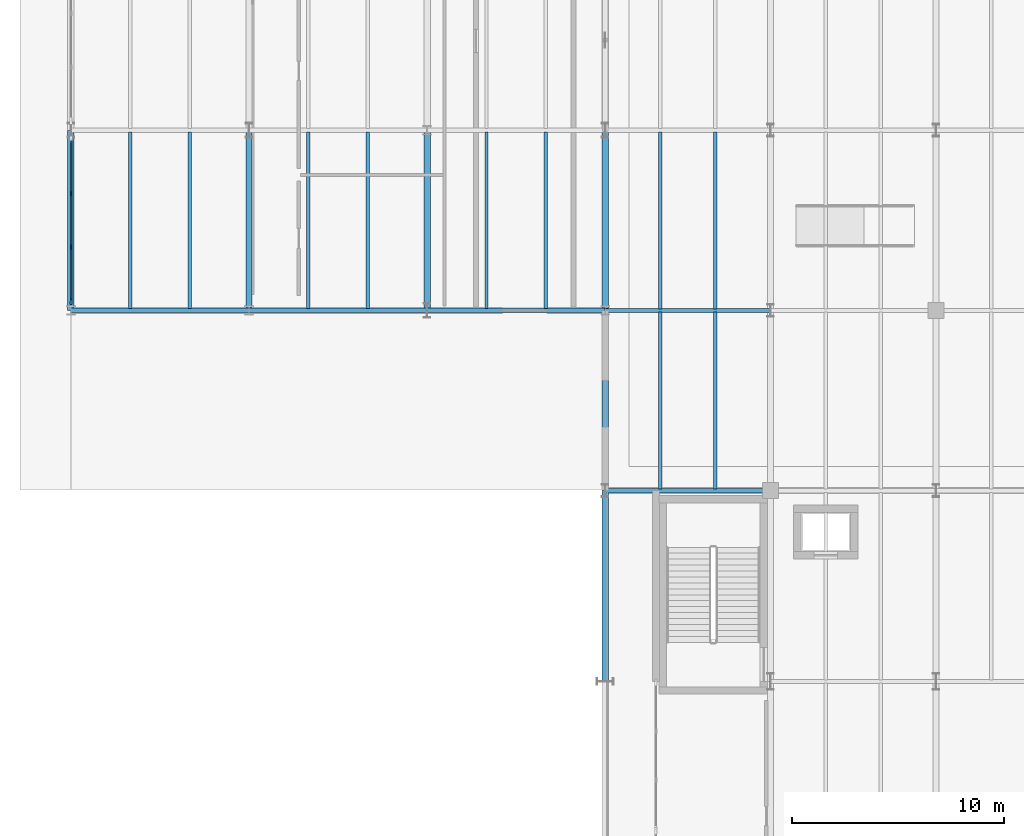
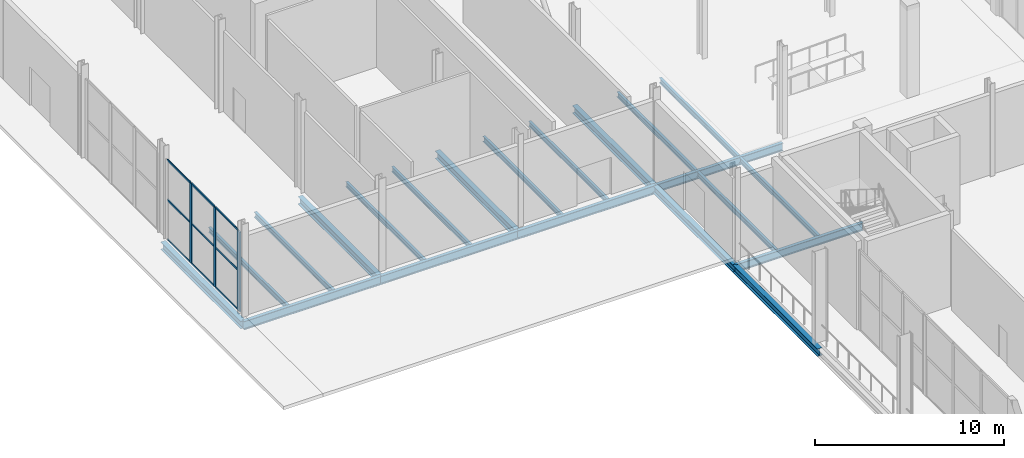
# One storey, part 20 of 84: 21 beams, 12 members, 1 element without a shape of its own.
"""IFC4 building model written with IfcOpenShell, lengths in metres."""

import ifcopenshell
import ifcopenshell.guid

model = None  # the IFC model being written
_history = None  # IfcOwnerHistory: only IFC2X3 demands one
_inside = {}  # id of a spatial element -> (the spatial element, [elements in it])
_under = {}  # id of a project, library or spatial element -> (it, [spatial elements below it])
_declared = {}  # id of a project -> (the project, [libraries it declares])
_typed = {}  # id of a type object -> (the type object, [elements of that type])
_made_of = {}  # id of a material, layer set ... -> (it, [elements and type objects made of it])


def new_model(schema):
    """Start an empty IFC model of exactly this schema.

    Asked for "IFC4X3", IfcOpenShell would pick the latest addendum, in which some entities
    have other attributes; the version numbers below select the first issue.
    IFC2X3 requires an IfcOwnerHistory on every rooted entity: one is made here for all.
    """
    global model, _history
    if schema == "IFC4X3":
        model = ifcopenshell.file(schema_version=(4, 3, 0, 0))
    else:
        model = ifcopenshell.file(schema=schema)
    _inside.clear()
    _under.clear()
    _declared.clear()
    _typed.clear()
    _made_of.clear()
    _history = None
    if model.schema == "IFC2X3":
        org = make("IfcOrganization", Name="unknown")
        user = make(
            "IfcPersonAndOrganization",
            ThePerson=make("IfcPerson", FamilyName="unknown"),
            TheOrganization=org,
        )
        app = make(
            "IfcApplication",
            ApplicationDeveloper=org,
            Version="unknown",
            ApplicationFullName="unknown",
            ApplicationIdentifier="unknown",
        )
        _history = make(
            "IfcOwnerHistory",
            OwningUser=user,
            OwningApplication=app,
            ChangeAction="ADDED",
            CreationDate=0,
        )
    return model


def make(cls, **values):
    """One entity of the class cls with the attributes given. An attribute that is None is left unset."""
    return model.create_entity(
        cls, **{name: value for name, value in values.items() if value is not None}
    )


def rooted(cls, **values):
    """An entity with a GlobalId (a new one), such as an element, a storey or a relation."""
    return make(cls, GlobalId=ifcopenshell.guid.new(), OwnerHistory=_history, **values)


def si_unit(unit_type, name, prefix=None):
    """IfcSIUnit, for example si_unit("LENGTHUNIT", "METRE", prefix="MILLI")."""
    return make("IfcSIUnit", UnitType=unit_type, Prefix=prefix, Name=name)


def assignment(units):
    """IfcUnitAssignment: the units of a project."""
    return None if units is None else make("IfcUnitAssignment", Units=units)


def point(xyz):
    """IfcCartesianPoint."""
    return None if xyz is None else make("IfcCartesianPoint", Coordinates=xyz)


def direction(xyz):
    """IfcDirection."""
    return None if xyz is None else make("IfcDirection", DirectionRatios=xyz)


def frame(location, z_axis=None, x_axis=None):
    """IfcAxis2Placement3D, a coordinate frame: its origin and axes. An axis left out is left unset."""
    return make(
        "IfcAxis2Placement3D",
        Location=point(location),
        Axis=direction(z_axis),
        RefDirection=direction(x_axis),
    )


def frame_2d(location, x_axis=None):
    """IfcAxis2Placement2D, a coordinate frame in the plane: its origin and x axis."""
    return make(
        "IfcAxis2Placement2D", Location=point(location), RefDirection=direction(x_axis)
    )


def origin():
    """The frame at (0, 0, 0) with its axes left unset."""
    return frame((0.0, 0.0, 0.0))


def origin_2d():
    """The frame at (0, 0) in the plane with its x axis left unset."""
    return frame_2d((0.0, 0.0))


def place(relative_to, where):
    """IfcLocalPlacement: puts the frame where relative to a parent placement (None: the world)."""
    return make(
        "IfcLocalPlacement", PlacementRelTo=relative_to, RelativePlacement=where
    )


def context(
    kind, dimensions, precision=None, world=None, true_north=None, identifier=None
):
    """IfcGeometricRepresentationContext, for example the 3D "Model" context."""
    return make(
        "IfcGeometricRepresentationContext",
        ContextIdentifier=identifier,
        ContextType=kind,
        CoordinateSpaceDimension=dimensions,
        Precision=precision,
        WorldCoordinateSystem=world,
        TrueNorth=true_north,
    )


def subcontext(parent, identifier, kind, view, scale=None):
    """IfcGeometricRepresentationSubContext, for example "Body" below "Model"."""
    return make(
        "IfcGeometricRepresentationSubContext",
        ContextIdentifier=identifier,
        ContextType=kind,
        ParentContext=parent,
        TargetScale=scale,
        TargetView=view,
    )


def project(units=None, contexts=None):
    """IfcProject with its units and contexts."""
    return rooted(
        "IfcProject",
        Name="project",
        RepresentationContexts=contexts,
        UnitsInContext=assignment(units),
    )


def spatial(cls, under=None, at=None, **own):
    """A site, building, storey or space (cls), placed at a placement, below another one or the project."""
    s = rooted(cls, ObjectPlacement=at, **own)
    if under is not None:
        _under.setdefault(under.id(), (under, []))[1].append(s)
    return s


def profile(cls, at=None, kind="AREA", **sizes):
    """A parametric profile (cls). Its sizes go by their IFC names, for example OverallWidth=200.0."""
    return make(cls, ProfileType=kind, Position=at, **sizes)


def rectangle(**sizes):
    """IfcRectangleProfileDef."""
    return profile("IfcRectangleProfileDef", **sizes)


def i_section(**sizes):
    """IfcIShapeProfileDef."""
    return profile("IfcIShapeProfileDef", **sizes)


def extrude(swept, where, along, depth):
    """IfcExtrudedAreaSolid: the profile swept, set in the frame where, extruded along a direction by depth."""
    return make(
        "IfcExtrudedAreaSolid",
        SweptArea=swept,
        Position=where,
        ExtrudedDirection=direction(along),
        Depth=depth,
    )


def shape(context_of_items, identifier, shape_type, items):
    """IfcShapeRepresentation: the items that make up one representation, for example the "Body"."""
    return make(
        "IfcShapeRepresentation",
        ContextOfItems=context_of_items,
        RepresentationIdentifier=identifier,
        RepresentationType=shape_type,
        Items=items,
    )


def material(Name=None, Category=None):
    """IfcMaterial."""
    return make("IfcMaterial", Name=Name, Category=Category)


def layer(
    of_material, thickness, ventilated=None, Name=None, Category=None, Priority=None
):
    """IfcMaterialLayer: one layer of a wall or slab, of a material (None: an air gap)."""
    return make(
        "IfcMaterialLayer",
        Material=of_material,
        LayerThickness=thickness,
        IsVentilated=ventilated,
        Name=Name,
        Category=Category,
        Priority=Priority,
    )


def layer_set(layers, Name=None):
    """IfcMaterialLayerSet."""
    return make("IfcMaterialLayerSet", MaterialLayers=layers, LayerSetName=Name)


def material_profile(
    of_material, cross_section, Name=None, Category=None, Priority=None
):
    """IfcMaterialProfile: a cross section and its material."""
    return make(
        "IfcMaterialProfile",
        Name=Name,
        Material=of_material,
        Profile=cross_section,
        Priority=Priority,
        Category=Category,
    )


def profile_set(profiles, Name=None, composite=None):
    """IfcMaterialProfileSet."""
    return make(
        "IfcMaterialProfileSet",
        Name=Name,
        MaterialProfiles=profiles,
        CompositeProfile=composite,
    )


def made_of(thing, what):
    """Note that an element or type object is made of a material, layer set ...; save() writes the relation."""
    if what is not None:
        _made_of.setdefault(what.id(), (what, []))[1].append(thing)
    return thing


def type_object(cls, material=None, **own):
    """A type object (cls), such as IfcWallType, which elements share."""
    return made_of(rooted(cls, **own), material)


def element(
    cls,
    number,
    at=None,
    inside=None,
    cuts=None,
    type_object=None,
    material=None,
    context=None,
    identifier="Body",
    shape_type=None,
    held_by="IfcProductDefinitionShape",
    body=None,
    shapes=None,
    **own,
):
    """One element of the class cls, such as IfcWall. Its Tag is "e" and its number.

    at: its placement. inside: the storey or other place that contains it. cuts: it is an
    opening in that element (IfcRelVoidsElement). A single representation is given by context,
    identifier, shape_type and body (its items); several are given by shapes. held_by: the class
    of the entity that holds the representations. save() writes the other relations.
    """
    e = rooted(cls, Tag="e%d" % number, ObjectPlacement=at, **own)
    if body is not None:
        shapes = [shape(context, identifier, shape_type, body)]
    if shapes is not None:
        e.Representation = make(held_by, Representations=shapes)
    if inside is not None:
        _inside.setdefault(inside.id(), (inside, []))[1].append(e)
    if cuts is not None:
        rooted(
            "IfcRelVoidsElement", RelatingBuildingElement=cuts, RelatedOpeningElement=e
        )
    if type_object is not None:
        _typed.setdefault(type_object.id(), (type_object, []))[1].append(e)
    return made_of(e, material)


def aggregate(whole, parts):
    """IfcRelAggregates: a whole, such as a stair, and the parts it consists of."""
    return rooted("IfcRelAggregates", RelatingObject=whole, RelatedObjects=parts)


def save(model, path):
    """Write the relations noted so far, then the file.

    IfcRelAggregates (storeys below a building ...), IfcRelContainedInSpatialStructure (elements
    in a storey), IfcRelDefinesByType, IfcRelAssociatesMaterial and IfcRelDeclares: one each for
    every whole, place, type object, material and project.
    """
    for whole, parts in _under.values():
        aggregate(whole, parts)
    for where, things in _inside.values():
        rooted(
            "IfcRelContainedInSpatialStructure",
            RelatedElements=things,
            RelatingStructure=where,
        )
    for kind, things in _typed.values():
        rooted("IfcRelDefinesByType", RelatedObjects=things, RelatingType=kind)
    for what, things in _made_of.values():
        rooted("IfcRelAssociatesMaterial", RelatedObjects=things, RelatingMaterial=what)
    for by, libraries in _declared.values():
        rooted("IfcRelDeclares", RelatingContext=by, RelatedDefinitions=libraries)
    model.write(path)


model = new_model("IFC4")

# Units and contexts
model_context = context("Model", 3, precision=1e-05, world=origin(), true_north=direction((0.0, 1.0)))
body_context = subcontext(model_context, "Body", "Model", "MODEL_VIEW")
ifc_project = project(units=[si_unit("LENGTHUNIT", "METRE"), si_unit("AREAUNIT", "SQUARE_METRE"), si_unit("VOLUMEUNIT", "CUBIC_METRE"), si_unit("PLANEANGLEUNIT", "RADIAN"), si_unit("MASSUNIT", "GRAM", prefix="KILO")], contexts=[model_context])

# Site, building, storey
site_placement = place(None, origin())
site = spatial("IfcSite", under=ifc_project, at=site_placement, CompositionType="ELEMENT")
building_placement = place(site_placement, origin())
building = spatial("IfcBuilding", under=site, at=building_placement, Name="Sefraquen Railside Congress Hotel", CompositionType="ELEMENT")
storey_placement = place(building_placement, origin())
storey = spatial("IfcBuildingStorey", under=building, at=storey_placement, Name="L00", CompositionType="ELEMENT", Elevation=0.0)

# Beams
ifc_material_1 = material(Name="Steel S355JR", Category="steel")
ifc_material_profile_1 = material_profile(ifc_material_1, i_section(OverallWidth=0.199951171875, OverallDepth=0.5, WebThickness=0.01025390625, FlangeThickness=0.01611328125, FilletRadius=0.02099609375, at=origin_2d()), Name="IPE 500")
ifc_profile_set_1 = profile_set([ifc_material_profile_1], Name="Steel S355JR")
beam_type_1 = type_object("IfcBeamType", Name="TB-BM-500", PredefinedType="BEAM", material=ifc_profile_set_1)
for number, where, z_axis, x_axis, name in (
    (1, (25.199951171875, 54.0, -0.64990234375), (1.0, 0.0, 0.0), (0.0, 1.0, 0.0), "Primary girder BM-L00-0054"),
    (2, (25.199951171875, 62.5, -0.64990234375), (1.0, 0.0, 0.0), (0.0, 1.0, 0.0), "Primary girder BM-L00-0075"),
):
    element("IfcBeam", number, at=place(storey_placement, frame(where, z_axis=z_axis, x_axis=x_axis)), inside=storey, type_object=beam_type_1, Name=name, PredefinedType="BEAM", context=body_context, shape_type="SweptSolid", body=[
        extrude(i_section(OverallWidth=0.199951171875, OverallDepth=0.5, WebThickness=0.01025390625, FlangeThickness=0.01611328125, FilletRadius=0.02099609375, at=origin_2d()), origin(), (0.0, 0.0, 1.0), 7.800048828125),
    ])
ifc_material_profile_2 = material_profile(ifc_material_1, i_section(OverallWidth=0.300048828125, OverallDepth=0.489990234375, WebThickness=0.011962890625, FlangeThickness=0.02294921875, FilletRadius=0.027099609375, at=origin_2d()), Name="HEA 500")
ifc_profile_set_2 = profile_set([ifc_material_profile_2], Name="Steel S355JR")
beam_type_2 = type_object("IfcBeamType", Name="TB-GIR-500", PredefinedType="T_BEAM", material=ifc_profile_set_2)
for number, where, z_axis, x_axis, name in (
    (3, (0.0, 62.5, -0.64501953125), (0.0, 1.0, 0.0), (-1.0, 0.0, 0.0), "Floor beam BM-L00-0173"),
    (4, (8.39990234375, 62.5, -0.64501953125), (0.0, 1.0, 0.0), (-1.0, 0.0, 0.0), "Floor beam BM-L00-0176"),
    (5, (16.800048828125, 62.5, -0.64501953125), (0.0, 1.0, 0.0), (-1.0, 0.0, 0.0), "Floor beam BM-L00-0182"),
):
    element("IfcBeam", number, at=place(storey_placement, frame(where, z_axis=z_axis, x_axis=x_axis)), inside=storey, type_object=beam_type_2, Name=name, PredefinedType="T_BEAM", context=body_context, shape_type="SweptSolid", body=[
        extrude(i_section(OverallWidth=0.300048828125, OverallDepth=0.489990234375, WebThickness=0.011962890625, FlangeThickness=0.02294921875, FilletRadius=0.027099609375, at=origin_2d()), origin(), (0.0, 0.0, 1.0), 8.5),
    ])
beam_1_placement = place(storey_placement, frame((25.199951171875, 45.0, -0.64501953125), z_axis=(0.0, 1.0, 0.0), x_axis=(-1.0, 0.0, 0.0)))
element("IfcBeam", 6, at=beam_1_placement, inside=storey, type_object=beam_type_2, Name="Floor beam BM-L00-0192", PredefinedType="T_BEAM", context=body_context, shape_type="SweptSolid", body=[
    extrude(i_section(OverallWidth=0.300048828125, OverallDepth=0.489990234375, WebThickness=0.011962890625, FlangeThickness=0.02294921875, FilletRadius=0.027099609375, at=origin_2d()), origin(), (0.0, 0.0, 1.0), 9.0),
])
for number, where, z_axis, x_axis, name in (
    (7, (25.199951171875, 54.0, -0.64501953125), (0.0, 1.0, 0.0), (-1.0, 0.0, 0.0), "Floor beam BM-L00-0193"),
    (8, (25.199951171875, 62.5, -0.64501953125), (0.0, 1.0, 0.0), (-1.0, 0.0, 0.0), "Floor beam BM-L00-0194"),
):
    element("IfcBeam", number, at=place(storey_placement, frame(where, z_axis=z_axis, x_axis=x_axis)), inside=storey, type_object=beam_type_2, Name=name, PredefinedType="T_BEAM", context=body_context, shape_type="SweptSolid", body=[
        extrude(i_section(OverallWidth=0.300048828125, OverallDepth=0.489990234375, WebThickness=0.011962890625, FlangeThickness=0.02294921875, FilletRadius=0.027099609375, at=origin_2d()), origin(), (0.0, 0.0, 1.0), 8.5),
    ])
ifc_material_profile_3 = material_profile(ifc_material_1, i_section(OverallWidth=0.2099609375, OverallDepth=0.550048828125, WebThickness=0.010986328125, FlangeThickness=0.01708984375, FilletRadius=0.02392578125, at=origin_2d()), Name="IPE 550")
ifc_profile_set_3 = profile_set([ifc_material_profile_3], Name="Steel S355JR")
beam_type_3 = type_object("IfcBeamType", Name="TB-GIR-550", PredefinedType="T_BEAM", material=ifc_profile_set_3)
beam_2_placement = place(storey_placement, frame((0.0, 62.5, -0.675048828125), z_axis=(1.0, 0.0, 0.0), x_axis=(0.0, 1.0, 0.0)))
element("IfcBeam", 9, at=beam_2_placement, inside=storey, type_object=beam_type_3, Name="Primary girder BM-L00-0072", PredefinedType="T_BEAM", context=body_context, shape_type="SweptSolid", body=[
    extrude(i_section(OverallWidth=0.2099609375, OverallDepth=0.550048828125, WebThickness=0.010986328125, FlangeThickness=0.01708984375, FilletRadius=0.02392578125, at=origin_2d()), origin(), (0.0, 0.0, 1.0), 8.39990234375),
])
beam_3_placement = place(storey_placement, frame((8.39990234375, 62.5, -0.675048828125), z_axis=(1.0, 0.0, 0.0), x_axis=(0.0, 1.0, 0.0)))
element("IfcBeam", 10, at=beam_3_placement, inside=storey, type_object=beam_type_3, Name="Primary girder BM-L00-0073", PredefinedType="T_BEAM", context=body_context, shape_type="SweptSolid", body=[
    extrude(i_section(OverallWidth=0.2099609375, OverallDepth=0.550048828125, WebThickness=0.010986328125, FlangeThickness=0.01708984375, FilletRadius=0.02392578125, at=origin_2d()), origin(), (0.0, 0.0, 1.0), 8.400146484375),
])
beam_4_placement = place(storey_placement, frame((16.800048828125, 62.5, -0.675048828125), z_axis=(1.0, 0.0, 0.0), x_axis=(0.0, 1.0, 0.0)))
element("IfcBeam", 11, at=beam_4_placement, inside=storey, type_object=beam_type_3, Name="Primary girder BM-L00-0074", PredefinedType="T_BEAM", context=body_context, shape_type="SweptSolid", body=[
    extrude(i_section(OverallWidth=0.2099609375, OverallDepth=0.550048828125, WebThickness=0.010986328125, FlangeThickness=0.01708984375, FilletRadius=0.02392578125, at=origin_2d()), origin(), (0.0, 0.0, 1.0), 8.39990234375),
])
ifc_material_profile_4 = material_profile(ifc_material_1, i_section(OverallWidth=0.159912109375, OverallDepth=0.330078125, WebThickness=0.007568359375, FlangeThickness=0.011474609375, FilletRadius=0.01806640625, at=origin_2d()), Name="IPE 330")
ifc_profile_set_4 = profile_set([ifc_material_profile_4], Name="Steel S355JR")
beam_type_4 = type_object("IfcBeamType", Name="TB-JST-330", PredefinedType="JOIST", material=ifc_profile_set_4)
for number, where, z_axis, x_axis, name in (
    (12, (2.800048828125, 62.5849609375, -0.56494140625), (0.0, 1.0, 0.0), (-1.0, 0.0, 0.0), "Composite floor joist BM-L00-J0001"),
    (13, (5.60009765625, 62.5849609375, -0.56494140625), (0.0, 1.0, 0.0), (-1.0, 0.0, 0.0), "Composite floor joist BM-L00-J0002"),
    (14, (11.199951171875, 62.5849609375, -0.56494140625), (0.0, 1.0, 0.0), (-1.0, 0.0, 0.0), "Composite floor joist BM-L00-J0007"),
    (15, (14.0, 62.5849609375, -0.56494140625), (0.0, 1.0, 0.0), (-1.0, 0.0, 0.0), "Composite floor joist BM-L00-J0008"),
    (16, (19.60009765625, 62.5849609375, -0.56494140625), (0.0, 1.0, 0.0), (-1.0, 0.0, 0.0), "Composite floor joist BM-L00-J0015"),
    (17, (22.39990234375, 62.5849609375, -0.56494140625), (0.0, 1.0, 0.0), (-1.0, 0.0, 0.0), "Composite floor joist BM-L00-J0016"),
):
    element("IfcBeam", number, at=place(storey_placement, frame(where, z_axis=z_axis, x_axis=x_axis)), inside=storey, type_object=beam_type_4, Name=name, PredefinedType="JOIST", context=body_context, shape_type="SweptSolid", body=[
        extrude(i_section(OverallWidth=0.159912109375, OverallDepth=0.330078125, WebThickness=0.007568359375, FlangeThickness=0.011474609375, FilletRadius=0.01806640625, at=origin_2d()), origin(), (0.0, 0.0, 1.0), 8.330078125),
    ])
for number, where, z_axis, x_axis, name in (
    (18, (27.800048828125, 54.080078125, -0.56494140625), (0.0, 1.0, 0.0), (-1.0, 0.0, 0.0), "Composite floor joist BM-L00-J0032"),
    (19, (30.39990234375, 54.080078125, -0.56494140625), (0.0, 1.0, 0.0), (-1.0, 0.0, 0.0), "Composite floor joist BM-L00-J0033"),
    (20, (27.800048828125, 62.580078125, -0.56494140625), (0.0, 1.0, 0.0), (-1.0, 0.0, 0.0), "Composite floor joist BM-L00-J0034"),
    (21, (30.39990234375, 62.580078125, -0.56494140625), (0.0, 1.0, 0.0), (-1.0, 0.0, 0.0), "Composite floor joist BM-L00-J0035"),
):
    element("IfcBeam", number, at=place(storey_placement, frame(where, z_axis=z_axis, x_axis=x_axis)), inside=storey, type_object=beam_type_4, Name=name, PredefinedType="JOIST", context=body_context, shape_type="SweptSolid", body=[
        extrude(i_section(OverallWidth=0.159912109375, OverallDepth=0.330078125, WebThickness=0.007568359375, FlangeThickness=0.011474609375, FilletRadius=0.01806640625, at=origin_2d()), origin(), (0.0, 0.0, 1.0), 8.33984375),
    ])

# Curtain wall, members
ifc_material_2 = material(Name="Thermally broken anodised aluminium and low-E double glazing", Category="aluminium")
ifc_layer = layer(ifc_material_2, 0.199951171875)
ifc_layer_set = layer_set([ifc_layer], Name="Thermally broken anodised aluminium and low-E double glazing")
curtain_wall_type = type_object("IfcCurtainWallType", Name="TCW-UCW-25", PredefinedType="USERDEFINED", material=ifc_layer_set)
curtain_wall_placement = place(storey_placement, origin())
curtain_wall = element("IfcCurtainWall", 22, at=curtain_wall_placement, inside=storey, type_object=curtain_wall_type, Name="Hotel West Forecourt curtain wall UCW-25", ObjectType="UNITISED CURTAIN WALL", PredefinedType="USERDEFINED")
ifc_material_3 = material(Name="Thermally broken anodised aluminium 6063-T6", Category="aluminium")
ifc_material_profile_5 = material_profile(ifc_material_3, rectangle(XDim=0.074951171875, YDim=0.219970703125, at=origin_2d()), Name="CWM 75x220")
ifc_profile_set_5 = profile_set([ifc_material_profile_5], Name="Thermally broken anodised aluminium 6063-T6")
member_type_1 = type_object("IfcMemberType", Name="TM-CWM-04", PredefinedType="MULLION", material=ifc_profile_set_5)
member_1_placement = place(storey_placement, frame((0.0, 65.47998046875, 0.0), z_axis=(0.0, 0.0, 1.0), x_axis=(1.0, 0.0, 0.0)))
member_1 = element("IfcMember", 23, at=member_1_placement, type_object=member_type_1, Name="CW-L00-025 mullion 2", PredefinedType="MULLION", context=body_context, shape_type="SweptSolid", body=[
    extrude(rectangle(XDim=0.074951171875, YDim=0.219970703125, at=origin_2d()), origin(), (0.0, 0.0, 1.0), 5.14990234375),
])
member_2_placement = place(storey_placement, frame((0.0, 68.02001953125, 0.0), z_axis=(0.0, 0.0, 1.0), x_axis=(1.0, 0.0, 0.0)))
member_2 = element("IfcMember", 24, at=member_2_placement, type_object=member_type_1, Name="CW-L00-025 mullion 3", PredefinedType="MULLION", context=body_context, shape_type="SweptSolid", body=[
    extrude(rectangle(XDim=0.074951171875, YDim=0.219970703125, at=origin_2d()), origin(), (0.0, 0.0, 1.0), 5.14990234375),
])
ifc_material_profile_6 = material_profile(ifc_material_3, rectangle(XDim=0.094970703125, YDim=0.300048828125, at=origin_2d()), Name="CWM 95x300")
ifc_profile_set_6 = profile_set([ifc_material_profile_6], Name="Thermally broken anodised aluminium 6063-T6")
member_type_2 = type_object("IfcMemberType", Name="TM-CWM-08", PredefinedType="MULLION", material=ifc_profile_set_6)
member_3_placement = place(storey_placement, frame((0.0, 62.93994140625, 0.0), z_axis=(0.0, 0.0, 1.0), x_axis=(1.0, 0.0, 0.0)))
member_3 = element("IfcMember", 25, at=member_3_placement, type_object=member_type_2, Name="CW-L00-025 mullion 1", PredefinedType="MULLION", context=body_context, shape_type="SweptSolid", body=[
    extrude(rectangle(XDim=0.094970703125, YDim=0.300048828125, at=origin_2d()), origin(), (0.0, 0.0, 1.0), 5.14990234375),
])
ifc_material_profile_7 = material_profile(ifc_material_3, rectangle(XDim=0.06005859375, YDim=0.1201171875, at=origin_2d()), Name="CWT 60x120")
ifc_profile_set_7 = profile_set([ifc_material_profile_7], Name="Thermally broken anodised aluminium 6063-T6")
member_type_3 = type_object("IfcMemberType", Name="TM-CWT-01", PredefinedType="USERDEFINED", material=ifc_profile_set_7)
member_4_placement = place(storey_placement, frame((0.0, 62.985107421875, 0.0), z_axis=(0.0, 1.0, 0.0), x_axis=(-1.0, 0.0, 0.0)))
member_4 = element("IfcMember", 26, at=member_4_placement, type_object=member_type_3, Name="CW-L00-025 transom 1.1", ObjectType="TRANSOM", PredefinedType="USERDEFINED", context=body_context, shape_type="SweptSolid", body=[
    extrude(rectangle(XDim=0.06005859375, YDim=0.1201171875, at=origin_2d()), origin(), (0.0, 0.0, 1.0), 2.449951171875),
])
member_5_placement = place(storey_placement, frame((0.0, 65.52490234375, 0.0), z_axis=(0.0, 1.0, 0.0), x_axis=(-1.0, 0.0, 0.0)))
member_5 = element("IfcMember", 27, at=member_5_placement, type_object=member_type_3, Name="CW-L00-025 transom 1.2", ObjectType="TRANSOM", PredefinedType="USERDEFINED", context=body_context, shape_type="SweptSolid", body=[
    extrude(rectangle(XDim=0.06005859375, YDim=0.1201171875, at=origin_2d()), origin(), (0.0, 0.0, 1.0), 2.4501953125),
])
member_6_placement = place(storey_placement, frame((0.0, 68.06494140625, 0.0), z_axis=(0.0, 1.0, 0.0), x_axis=(-1.0, 0.0, 0.0)))
member_6 = element("IfcMember", 28, at=member_6_placement, type_object=member_type_3, Name="CW-L00-025 transom 1.3", ObjectType="TRANSOM", PredefinedType="USERDEFINED", context=body_context, shape_type="SweptSolid", body=[
    extrude(rectangle(XDim=0.06005859375, YDim=0.1201171875, at=origin_2d()), origin(), (0.0, 0.0, 1.0), 2.449951171875),
])
member_7_placement = place(storey_placement, frame((0.0, 62.985107421875, 2.574951171875), z_axis=(0.0, 1.0, 0.0), x_axis=(-1.0, 0.0, 0.0)))
member_7 = element("IfcMember", 29, at=member_7_placement, type_object=member_type_3, Name="CW-L00-025 transom 2.1", ObjectType="TRANSOM", PredefinedType="USERDEFINED", context=body_context, shape_type="SweptSolid", body=[
    extrude(rectangle(XDim=0.06005859375, YDim=0.1201171875, at=origin_2d()), origin(), (0.0, 0.0, 1.0), 2.449951171875),
])
member_8_placement = place(storey_placement, frame((0.0, 65.52490234375, 2.574951171875), z_axis=(0.0, 1.0, 0.0), x_axis=(-1.0, 0.0, 0.0)))
member_8 = element("IfcMember", 30, at=member_8_placement, type_object=member_type_3, Name="CW-L00-025 transom 2.2", ObjectType="TRANSOM", PredefinedType="USERDEFINED", context=body_context, shape_type="SweptSolid", body=[
    extrude(rectangle(XDim=0.06005859375, YDim=0.1201171875, at=origin_2d()), origin(), (0.0, 0.0, 1.0), 2.4501953125),
])
member_9_placement = place(storey_placement, frame((0.0, 68.06494140625, 2.574951171875), z_axis=(0.0, 1.0, 0.0), x_axis=(-1.0, 0.0, 0.0)))
member_9 = element("IfcMember", 31, at=member_9_placement, type_object=member_type_3, Name="CW-L00-025 transom 2.3", ObjectType="TRANSOM", PredefinedType="USERDEFINED", context=body_context, shape_type="SweptSolid", body=[
    extrude(rectangle(XDim=0.06005859375, YDim=0.1201171875, at=origin_2d()), origin(), (0.0, 0.0, 1.0), 2.449951171875),
])
member_10_placement = place(storey_placement, frame((0.0, 62.985107421875, 5.14990234375), z_axis=(0.0, 1.0, 0.0), x_axis=(-1.0, 0.0, 0.0)))
member_10 = element("IfcMember", 32, at=member_10_placement, type_object=member_type_3, Name="CW-L00-025 transom 3.1", ObjectType="TRANSOM", PredefinedType="USERDEFINED", context=body_context, shape_type="SweptSolid", body=[
    extrude(rectangle(XDim=0.06005859375, YDim=0.1201171875, at=origin_2d()), origin(), (0.0, 0.0, 1.0), 2.449951171875),
])
member_11_placement = place(storey_placement, frame((0.0, 65.52490234375, 5.14990234375), z_axis=(0.0, 1.0, 0.0), x_axis=(-1.0, 0.0, 0.0)))
member_11 = element("IfcMember", 33, at=member_11_placement, type_object=member_type_3, Name="CW-L00-025 transom 3.2", ObjectType="TRANSOM", PredefinedType="USERDEFINED", context=body_context, shape_type="SweptSolid", body=[
    extrude(rectangle(XDim=0.06005859375, YDim=0.1201171875, at=origin_2d()), origin(), (0.0, 0.0, 1.0), 2.4501953125),
])
member_12_placement = place(storey_placement, frame((0.0, 68.06494140625, 5.14990234375), z_axis=(0.0, 1.0, 0.0), x_axis=(-1.0, 0.0, 0.0)))
member_12 = element("IfcMember", 34, at=member_12_placement, type_object=member_type_3, Name="CW-L00-025 transom 3.3", ObjectType="TRANSOM", PredefinedType="USERDEFINED", context=body_context, shape_type="SweptSolid", body=[
    extrude(rectangle(XDim=0.06005859375, YDim=0.1201171875, at=origin_2d()), origin(), (0.0, 0.0, 1.0), 2.449951171875),
])
aggregate(curtain_wall, [member_3, member_1, member_2, member_4, member_5, member_6, member_7, member_8, member_9, member_10, member_11, member_12])

save(model, "model.ifc")
